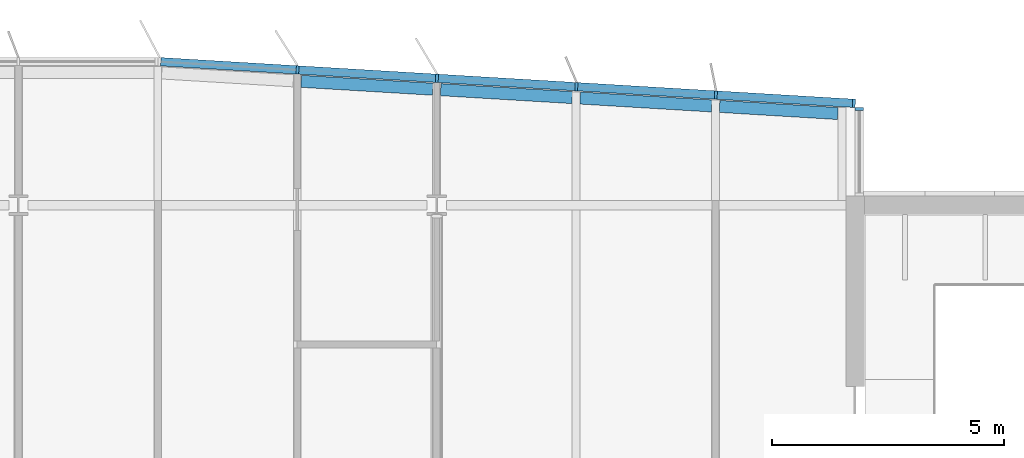
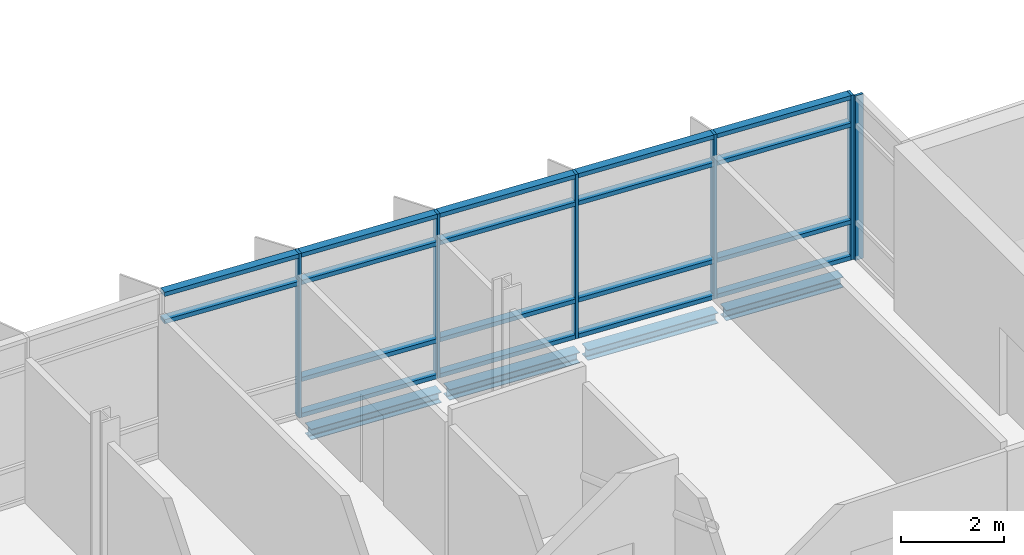
# One storey, part 9 of 18: 24 members, 4 beams, 2 elements without a shape of their own.
"""IFC4 building model written with IfcOpenShell, lengths in metres."""

from ifc_helpers import new_model, si_unit, direction, frame, origin, origin_2d, place, context, subcontext, project, spatial, rectangle, i_section, extrude, material, material_profile, profile_set, type_object, element, aggregate, save


model = new_model("IFC4")

# Units and contexts
model_context = context("Model", 3, precision=1e-05, world=origin(), true_north=direction((0.0, 1.0)))
body_context = subcontext(model_context, "Body", "Model", "MODEL_VIEW")
ifc_project = project(units=[si_unit("LENGTHUNIT", "METRE"), si_unit("AREAUNIT", "SQUARE_METRE"), si_unit("VOLUMEUNIT", "CUBIC_METRE"), si_unit("PLANEANGLEUNIT", "RADIAN"), si_unit("MASSUNIT", "GRAM", prefix="KILO")], contexts=[model_context])

# Site, building, storey
site_placement = place(None, origin())
site = spatial("IfcSite", under=ifc_project, at=site_placement, CompositionType="ELEMENT")
building_placement = place(site_placement, origin())
building = spatial("IfcBuilding", under=site, at=building_placement, Name="Azimuth Sports and Learning Centre", CompositionType="ELEMENT")
storey_placement = place(building_placement, frame((0.0, 0.0, 63.60009765625)))
storey = spatial("IfcBuildingStorey", under=building, at=storey_placement, Name="L14", CompositionType="ELEMENT", Elevation=63.60009765625)

# Beams
ifc_material_1 = material(Name="Steel S355", Category="steel")
ifc_material_profile_1 = material_profile(ifc_material_1, i_section(OverallWidth=0.260009765625, OverallDepth=0.25, WebThickness=0.007568359375, FlangeThickness=0.012451171875, FilletRadius=0.02392578125, at=origin_2d()), Name="HEA 260")
ifc_profile_set_1 = profile_set([ifc_material_profile_1], Name="Steel S355")
beam_type = type_object("IfcBeamType", Name="Edge beam HEA 260", PredefinedType="SPANDREL", material=ifc_profile_set_1)
for number, where, z_axis, x_axis, name in (
    (1, (96.0849609375, 119.664794921875, -0.255126953125), (0.998207521518, -0.059847673176, 0.0), (0.059847673176, 0.998207521518, 0.0), "Tower edge beam"),
    (2, (99.0849609375, 119.48486328125, -0.255126953125), (0.998207521518, -0.059847673176, 0.0), (0.059847673176, 0.998207521518, 0.0), "Tower edge beam"),
    (3, (102.0849609375, 119.304931640625, -0.255126953125), (0.998202373506, -0.059933475842, 0.0), (0.059933475842, 0.998202373506, 0.0), "Tower edge beam"),
):
    element("IfcBeam", number, at=place(storey_placement, frame(where, z_axis=z_axis, x_axis=x_axis)), inside=storey, type_object=beam_type, Name=name, PredefinedType="SPANDREL", context=body_context, shape_type="SweptSolid", body=[
        extrude(i_section(OverallWidth=0.260009765625, OverallDepth=0.25, WebThickness=0.007568359375, FlangeThickness=0.012451171875, FilletRadius=0.02392578125, at=origin_2d()), origin(), (0.0, 0.0, 1.0), 2.835205078125),
    ])
beam_placement = place(storey_placement, frame((105.0849609375, 119.125, -0.255126953125), z_axis=(0.998201638043, -0.05994572385, 0.0), x_axis=(0.05994572385, 0.998201638043, 0.0)))
element("IfcBeam", 4, at=beam_placement, inside=storey, type_object=beam_type, Name="Tower edge beam", PredefinedType="SPANDREL", context=body_context, shape_type="SweptSolid", body=[
    extrude(i_section(OverallWidth=0.260009765625, OverallDepth=0.25, WebThickness=0.007568359375, FlangeThickness=0.012451171875, FilletRadius=0.02392578125, at=origin_2d()), origin(), (0.0, 0.0, 1.0), 2.549560546875),
])

# Curtain wall, member
ifc_material_2 = material(Name="Aluminium and glass", Category="aluminium")
curtain_wall_type_1 = type_object("IfcCurtainWallType", Name="Curtain wall tower return 180", PredefinedType="NOTDEFINED", material=ifc_material_2)
curtain_wall_1_placement = place(storey_placement, origin())
curtain_wall_1 = element("IfcCurtainWall", 5, at=curtain_wall_1_placement, inside=storey, type_object=curtain_wall_type_1, Name="Curtain wall CW14-006", PredefinedType="NOTDEFINED")
ifc_material_3 = material(Name="Aluminium", Category="aluminium")
ifc_material_profile_2 = material_profile(ifc_material_3, rectangle(XDim=0.179931640625, YDim=0.06005859375, at=origin_2d()), Name="Mullion 60x180")
ifc_profile_set_2 = profile_set([ifc_material_profile_2], Name="Aluminium")
member_type_1 = type_object("IfcMemberType", Name="Mullion 60x180", PredefinedType="MULLION", material=ifc_profile_set_2)
member_1_placement = place(storey_placement, frame((108.090087890625, 119.070068359375, 0.0), z_axis=(0.0, 0.0, 1.0), x_axis=(-1.0, 0.0, 0.0)))
member_1 = element("IfcMember", 6, at=member_1_placement, type_object=member_type_1, Name="CW14-006 mullion 2", PredefinedType="MULLION", context=body_context, shape_type="SweptSolid", body=[
    extrude(rectangle(XDim=0.179931640625, YDim=0.06005859375, at=origin_2d()), origin(), (0.0, 0.0, 1.0), 3.89990234375),
])
aggregate(curtain_wall_1, [member_1])

# Curtain wall, members
ifc_material_4 = material(Name="Aluminium and glass", Category="aluminium")
curtain_wall_type_2 = type_object("IfcCurtainWallType", Name="Curtain wall tower north 180", PredefinedType="NOTDEFINED", material=ifc_material_4)
curtain_wall_2_placement = place(storey_placement, origin())
curtain_wall_2 = element("IfcCurtainWall", 7, at=curtain_wall_2_placement, inside=storey, type_object=curtain_wall_type_2, Name="Curtain wall CW14-007", PredefinedType="NOTDEFINED")
member_2_placement = place(storey_placement, frame((107.975341796875, 119.191650390625, 0.0), z_axis=(0.0, 0.0, 1.0), x_axis=(-0.059891991812, -0.998204863401, 0.0)))
member_2 = element("IfcMember", 8, at=member_2_placement, type_object=member_type_1, Name="CW14-007 mullion 1", PredefinedType="MULLION", context=body_context, shape_type="SweptSolid", body=[
    extrude(rectangle(XDim=0.179931640625, YDim=0.06005859375, at=origin_2d()), origin(), (0.0, 0.0, 1.0), 3.89990234375),
])
member_3_placement = place(storey_placement, frame((105.00537109375, 119.369873046875, 0.0), z_axis=(0.0, 0.0, 1.0), x_axis=(-0.059891991812, -0.998204863401, 0.0)))
member_3 = element("IfcMember", 9, at=member_3_placement, type_object=member_type_1, Name="CW14-007 mullion 2", PredefinedType="MULLION", context=body_context, shape_type="SweptSolid", body=[
    extrude(rectangle(XDim=0.179931640625, YDim=0.06005859375, at=origin_2d()), origin(), (0.0, 0.0, 1.0), 3.89990234375),
])
member_4_placement = place(storey_placement, frame((102.00537109375, 119.5498046875, 0.0), z_axis=(0.0, 0.0, 1.0), x_axis=(-0.059891991812, -0.998204863401, 0.0)))
member_4 = element("IfcMember", 10, at=member_4_placement, type_object=member_type_1, Name="CW14-007 mullion 3", PredefinedType="MULLION", context=body_context, shape_type="SweptSolid", body=[
    extrude(rectangle(XDim=0.179931640625, YDim=0.06005859375, at=origin_2d()), origin(), (0.0, 0.0, 1.0), 3.89990234375),
])
member_5_placement = place(storey_placement, frame((99.00537109375, 119.729736328125, 0.0), z_axis=(0.0, 0.0, 1.0), x_axis=(-0.059891991812, -0.998204863401, 0.0)))
member_5 = element("IfcMember", 11, at=member_5_placement, type_object=member_type_1, Name="CW14-007 mullion 4", PredefinedType="MULLION", context=body_context, shape_type="SweptSolid", body=[
    extrude(rectangle(XDim=0.179931640625, YDim=0.06005859375, at=origin_2d()), origin(), (0.0, 0.0, 1.0), 3.89990234375),
])
member_6_placement = place(storey_placement, frame((96.00537109375, 119.909912109375, 0.0), z_axis=(0.0, 0.0, 1.0), x_axis=(-0.059891991812, -0.998204863401, 0.0)))
member_6 = element("IfcMember", 12, at=member_6_placement, type_object=member_type_1, Name="CW14-007 mullion 5", PredefinedType="MULLION", context=body_context, shape_type="SweptSolid", body=[
    extrude(rectangle(XDim=0.179931640625, YDim=0.06005859375, at=origin_2d()), origin(), (0.0, 0.0, 1.0), 3.89990234375),
])
ifc_material_5 = material(Name="Aluminium", Category="aluminium")
ifc_material_profile_3 = material_profile(ifc_material_5, rectangle(XDim=0.179931640625, YDim=0.10009765625, at=origin_2d()), Name="Transom 100x180")
ifc_profile_set_3 = profile_set([ifc_material_profile_3], Name="Aluminium")
member_type_2 = type_object("IfcMemberType", Name="Transom 100x180", PredefinedType="USERDEFINED", material=ifc_profile_set_3)
member_7_placement = place(storey_placement, frame((107.945556640625, 119.193359375, 0.0498046875), z_axis=(-0.998205846627, 0.059875602377, 0.0), x_axis=(-0.059875602377, -0.998205846627, 0.0)))
member_7 = element("IfcMember", 13, at=member_7_placement, type_object=member_type_2, Name="CW14-007 transom 1.1", ObjectType="TRANSOM", PredefinedType="USERDEFINED", context=body_context, shape_type="SweptSolid", body=[
    extrude(rectangle(XDim=0.179931640625, YDim=0.10009765625, at=origin_2d()), origin(), (0.0, 0.0, 1.0), 2.915283203125),
])
member_8_placement = place(storey_placement, frame((107.945556640625, 119.193359375, 0.89990234375), z_axis=(-0.998205846627, 0.059875602377, 0.0), x_axis=(-0.059875602377, -0.998205846627, 0.0)))
member_8 = element("IfcMember", 14, at=member_8_placement, type_object=member_type_2, Name="CW14-007 transom 1.2", ObjectType="TRANSOM", PredefinedType="USERDEFINED", context=body_context, shape_type="SweptSolid", body=[
    extrude(rectangle(XDim=0.179931640625, YDim=0.10009765625, at=origin_2d()), origin(), (0.0, 0.0, 1.0), 2.915283203125),
])
member_9_placement = place(storey_placement, frame((107.945556640625, 119.193359375, 3.199951171875), z_axis=(-0.998205846627, 0.059875602377, 0.0), x_axis=(-0.059875602377, -0.998205846627, 0.0)))
member_9 = element("IfcMember", 15, at=member_9_placement, type_object=member_type_2, Name="CW14-007 transom 1.3", ObjectType="TRANSOM", PredefinedType="USERDEFINED", context=body_context, shape_type="SweptSolid", body=[
    extrude(rectangle(XDim=0.179931640625, YDim=0.10009765625, at=origin_2d()), origin(), (0.0, 0.0, 1.0), 2.915283203125),
])
member_10_placement = place(storey_placement, frame((107.945556640625, 119.193359375, 3.849853515625), z_axis=(-0.998205846627, 0.059875602377, 0.0), x_axis=(-0.059875602377, -0.998205846627, 0.0)))
member_10 = element("IfcMember", 16, at=member_10_placement, type_object=member_type_2, Name="CW14-007 transom 1.4", ObjectType="TRANSOM", PredefinedType="USERDEFINED", context=body_context, shape_type="SweptSolid", body=[
    extrude(rectangle(XDim=0.179931640625, YDim=0.10009765625, at=origin_2d()), origin(), (0.0, 0.0, 1.0), 2.915283203125),
])
member_11_placement = place(storey_placement, frame((104.975341796875, 119.37158203125, 0.0498046875), z_axis=(-0.998202465912, 0.059931936792, 0.0), x_axis=(-0.059931936792, -0.998202465912, 0.0)))
member_11 = element("IfcMember", 17, at=member_11_placement, type_object=member_type_2, Name="CW14-007 transom 2.1", ObjectType="TRANSOM", PredefinedType="USERDEFINED", context=body_context, shape_type="SweptSolid", body=[
    extrude(rectangle(XDim=0.179931640625, YDim=0.10009765625, at=origin_2d()), origin(), (0.0, 0.0, 1.0), 2.9453125),
])
member_12_placement = place(storey_placement, frame((104.975341796875, 119.37158203125, 0.89990234375), z_axis=(-0.998202465912, 0.059931936792, 0.0), x_axis=(-0.059931936792, -0.998202465912, 0.0)))
member_12 = element("IfcMember", 18, at=member_12_placement, type_object=member_type_2, Name="CW14-007 transom 2.2", ObjectType="TRANSOM", PredefinedType="USERDEFINED", context=body_context, shape_type="SweptSolid", body=[
    extrude(rectangle(XDim=0.179931640625, YDim=0.10009765625, at=origin_2d()), origin(), (0.0, 0.0, 1.0), 2.9453125),
])
member_13_placement = place(storey_placement, frame((104.975341796875, 119.37158203125, 3.199951171875), z_axis=(-0.998202465912, 0.059931936792, 0.0), x_axis=(-0.059931936792, -0.998202465912, 0.0)))
member_13 = element("IfcMember", 19, at=member_13_placement, type_object=member_type_2, Name="CW14-007 transom 2.3", ObjectType="TRANSOM", PredefinedType="USERDEFINED", context=body_context, shape_type="SweptSolid", body=[
    extrude(rectangle(XDim=0.179931640625, YDim=0.10009765625, at=origin_2d()), origin(), (0.0, 0.0, 1.0), 2.9453125),
])
member_14_placement = place(storey_placement, frame((104.975341796875, 119.37158203125, 3.849853515625), z_axis=(-0.998202465912, 0.059931936792, 0.0), x_axis=(-0.059931936792, -0.998202465912, 0.0)))
member_14 = element("IfcMember", 20, at=member_14_placement, type_object=member_type_2, Name="CW14-007 transom 2.4", ObjectType="TRANSOM", PredefinedType="USERDEFINED", context=body_context, shape_type="SweptSolid", body=[
    extrude(rectangle(XDim=0.179931640625, YDim=0.10009765625, at=origin_2d()), origin(), (0.0, 0.0, 1.0), 2.9453125),
])
member_15_placement = place(storey_placement, frame((101.975341796875, 119.551513671875, 0.0498046875), z_axis=(-0.998202465912, 0.059931936792, 0.0), x_axis=(-0.059931936792, -0.998202465912, 0.0)))
member_15 = element("IfcMember", 21, at=member_15_placement, type_object=member_type_2, Name="CW14-007 transom 3.1", ObjectType="TRANSOM", PredefinedType="USERDEFINED", context=body_context, shape_type="SweptSolid", body=[
    extrude(rectangle(XDim=0.179931640625, YDim=0.10009765625, at=origin_2d()), origin(), (0.0, 0.0, 1.0), 2.9453125),
])
member_16_placement = place(storey_placement, frame((101.975341796875, 119.551513671875, 0.89990234375), z_axis=(-0.998202465912, 0.059931936792, 0.0), x_axis=(-0.059931936792, -0.998202465912, 0.0)))
member_16 = element("IfcMember", 22, at=member_16_placement, type_object=member_type_2, Name="CW14-007 transom 3.2", ObjectType="TRANSOM", PredefinedType="USERDEFINED", context=body_context, shape_type="SweptSolid", body=[
    extrude(rectangle(XDim=0.179931640625, YDim=0.10009765625, at=origin_2d()), origin(), (0.0, 0.0, 1.0), 2.9453125),
])
member_17_placement = place(storey_placement, frame((101.975341796875, 119.551513671875, 3.199951171875), z_axis=(-0.998202465912, 0.059931936792, 0.0), x_axis=(-0.059931936792, -0.998202465912, 0.0)))
member_17 = element("IfcMember", 23, at=member_17_placement, type_object=member_type_2, Name="CW14-007 transom 3.3", ObjectType="TRANSOM", PredefinedType="USERDEFINED", context=body_context, shape_type="SweptSolid", body=[
    extrude(rectangle(XDim=0.179931640625, YDim=0.10009765625, at=origin_2d()), origin(), (0.0, 0.0, 1.0), 2.9453125),
])
member_18_placement = place(storey_placement, frame((101.975341796875, 119.551513671875, 3.849853515625), z_axis=(-0.998202465912, 0.059931936792, 0.0), x_axis=(-0.059931936792, -0.998202465912, 0.0)))
member_18 = element("IfcMember", 24, at=member_18_placement, type_object=member_type_2, Name="CW14-007 transom 3.4", ObjectType="TRANSOM", PredefinedType="USERDEFINED", context=body_context, shape_type="SweptSolid", body=[
    extrude(rectangle(XDim=0.179931640625, YDim=0.10009765625, at=origin_2d()), origin(), (0.0, 0.0, 1.0), 2.9453125),
])
member_19_placement = place(storey_placement, frame((98.975341796875, 119.731689453125, 0.0498046875), z_axis=(-0.998207421552, 0.059849340505, 0.0), x_axis=(-0.059849340505, -0.998207421552, 0.0)))
member_19 = element("IfcMember", 25, at=member_19_placement, type_object=member_type_2, Name="CW14-007 transom 4.1", ObjectType="TRANSOM", PredefinedType="USERDEFINED", context=body_context, shape_type="SweptSolid", body=[
    extrude(rectangle(XDim=0.179931640625, YDim=0.10009765625, at=origin_2d()), origin(), (0.0, 0.0, 1.0), 2.9453125),
])
member_20_placement = place(storey_placement, frame((98.975341796875, 119.731689453125, 0.89990234375), z_axis=(-0.998207421552, 0.059849340505, 0.0), x_axis=(-0.059849340505, -0.998207421552, 0.0)))
member_20 = element("IfcMember", 26, at=member_20_placement, type_object=member_type_2, Name="CW14-007 transom 4.2", ObjectType="TRANSOM", PredefinedType="USERDEFINED", context=body_context, shape_type="SweptSolid", body=[
    extrude(rectangle(XDim=0.179931640625, YDim=0.10009765625, at=origin_2d()), origin(), (0.0, 0.0, 1.0), 2.9453125),
])
member_21_placement = place(storey_placement, frame((98.975341796875, 119.731689453125, 3.199951171875), z_axis=(-0.998207421552, 0.059849340505, 0.0), x_axis=(-0.059849340505, -0.998207421552, 0.0)))
member_21 = element("IfcMember", 27, at=member_21_placement, type_object=member_type_2, Name="CW14-007 transom 4.3", ObjectType="TRANSOM", PredefinedType="USERDEFINED", context=body_context, shape_type="SweptSolid", body=[
    extrude(rectangle(XDim=0.179931640625, YDim=0.10009765625, at=origin_2d()), origin(), (0.0, 0.0, 1.0), 2.9453125),
])
member_22_placement = place(storey_placement, frame((98.975341796875, 119.731689453125, 3.849853515625), z_axis=(-0.998207421552, 0.059849340505, 0.0), x_axis=(-0.059849340505, -0.998207421552, 0.0)))
member_22 = element("IfcMember", 28, at=member_22_placement, type_object=member_type_2, Name="CW14-007 transom 4.4", ObjectType="TRANSOM", PredefinedType="USERDEFINED", context=body_context, shape_type="SweptSolid", body=[
    extrude(rectangle(XDim=0.179931640625, YDim=0.10009765625, at=origin_2d()), origin(), (0.0, 0.0, 1.0), 2.9453125),
])
member_23_placement = place(storey_placement, frame((95.975341796875, 119.91162109375, 3.199951171875), z_axis=(-0.998205846627, 0.059875602377, 0.0), x_axis=(-0.059875602377, -0.998205846627, 0.0)))
member_23 = element("IfcMember", 29, at=member_23_placement, type_object=member_type_2, Name="CW14-007 transom 5.3", ObjectType="TRANSOM", PredefinedType="USERDEFINED", context=body_context, shape_type="SweptSolid", body=[
    extrude(rectangle(XDim=0.179931640625, YDim=0.10009765625, at=origin_2d()), origin(), (0.0, 0.0, 1.0), 2.915283203125),
])
member_24_placement = place(storey_placement, frame((95.975341796875, 119.91162109375, 3.849853515625), z_axis=(-0.998205846627, 0.059875602377, 0.0), x_axis=(-0.059875602377, -0.998205846627, 0.0)))
member_24 = element("IfcMember", 30, at=member_24_placement, type_object=member_type_2, Name="CW14-007 transom 5.4", ObjectType="TRANSOM", PredefinedType="USERDEFINED", context=body_context, shape_type="SweptSolid", body=[
    extrude(rectangle(XDim=0.179931640625, YDim=0.10009765625, at=origin_2d()), origin(), (0.0, 0.0, 1.0), 2.915283203125),
])
aggregate(curtain_wall_2, [member_2, member_3, member_4, member_5, member_6, member_7, member_8, member_9, member_10, member_11, member_12, member_13, member_14, member_15, member_16, member_17, member_18, member_19, member_20, member_21, member_22, member_23, member_24])

save(model, "model.ifc")
